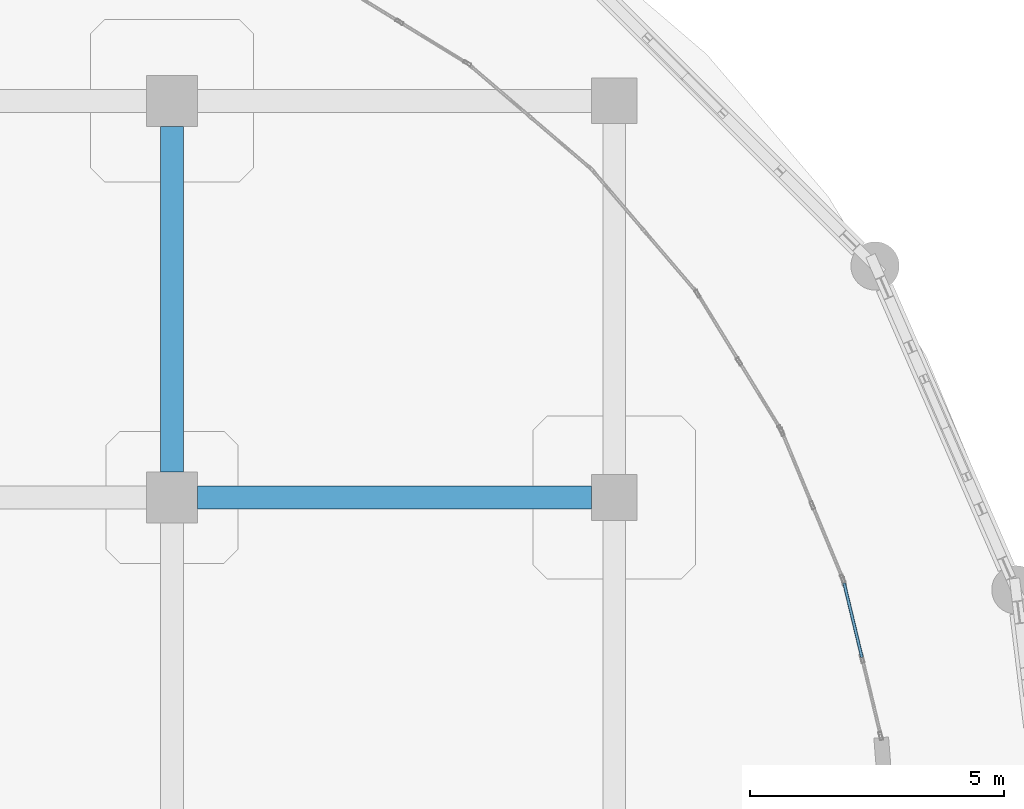
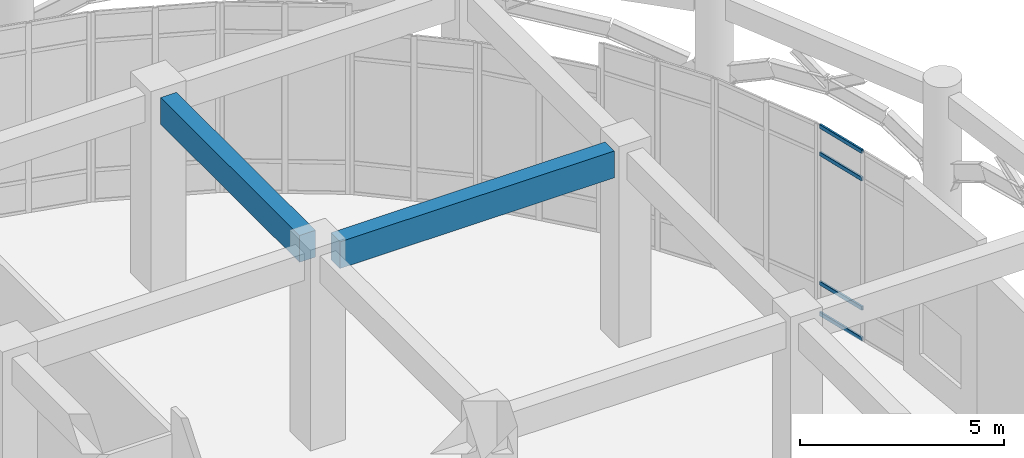
# One storey, part 45 of 82: 4 members, 2 beams, 1 element without a shape of its own.
"""IFC4 building model written with IfcOpenShell, lengths in metres."""

from ifc_helpers import new_model, si_unit, derived_unit, direction, frame, origin, origin_2d, place, context, subcontext, project, spatial, rectangle, hollow_rectangle, extrude, material, layer, layer_set, material_profile, profile_set, type_object, element, aggregate, save


model = new_model("IFC4")

# Units and contexts
model_context = context("Model", 3, precision=1e-05, world=origin(), true_north=direction((0.0, 1.0)))
body_context = subcontext(model_context, "Body", "Model", "MODEL_VIEW")
ifc_project = project(units=[si_unit("LENGTHUNIT", "METRE"), si_unit("AREAUNIT", "SQUARE_METRE"), si_unit("VOLUMEUNIT", "CUBIC_METRE"), si_unit("PLANEANGLEUNIT", "RADIAN"), si_unit("MASSUNIT", "GRAM", prefix="KILO"), derived_unit("THERMALTRANSMITTANCEUNIT", [(si_unit("MASSUNIT", "GRAM", prefix="KILO"), 1), (si_unit("TIMEUNIT", "SECOND"), -3), (si_unit("THERMODYNAMICTEMPERATUREUNIT", "KELVIN"), -1)])], contexts=[model_context])

# Site, building, storey
site_placement = place(None, origin())
site = spatial("IfcSite", under=ifc_project, at=site_placement, CompositionType="ELEMENT")
building_placement = place(site_placement, origin())
building = spatial("IfcBuilding", under=site, at=building_placement, Name="Qinzheling Arcade Emporium", CompositionType="ELEMENT")
storey_placement = place(building_placement, origin())
storey = spatial("IfcBuildingStorey", under=building, at=storey_placement, Name="L01", CompositionType="ELEMENT", Elevation=0.0)

# Curtain wall, members
ifc_material_1 = material(Name="Anodised aluminium and solar-control double glazing", Category="aluminium")
ifc_layer = layer(ifc_material_1, 0.159912109375, Name="Anodised aluminium and solar-control double glazing", Category="aluminium")
ifc_layer_set = layer_set([ifc_layer], Name="Anodised aluminium and solar-control double glazing")
curtain_wall_type = type_object("IfcCurtainWallType", Name="Curved Ribbon Sales Curtain Wall", PredefinedType="NOTDEFINED", material=ifc_layer_set)
curtain_wall_placement = place(storey_placement, origin())
curtain_wall = element("IfcCurtainWall", 1, at=curtain_wall_placement, inside=storey, type_object=curtain_wall_type, Name="Curtain Wall CW-L01-042", PredefinedType="NOTDEFINED")
ifc_material_2 = material(Name="Anodised aluminium 6063-T6", Category="aluminium")
ifc_material_profile_1 = material_profile(ifc_material_2, hollow_rectangle(XDim=0.06005859375, YDim=0.1201171875, WallThickness=0.00390625, InnerFilletRadius=0.00390625, OuterFilletRadius=0.008056640625, at=origin_2d()), Name="RHS 120x60x4", Category="aluminium")
ifc_profile_set_1 = profile_set([ifc_material_profile_1], Name="Anodised aluminium 6063-T6")
member_type = type_object("IfcMemberType", Name="Curtain Wall Transom RHS120x60", PredefinedType="USERDEFINED", material=ifc_profile_set_1)
member_1_placement = place(storey_placement, frame((143.719970703125, 97.314697265625, 0.030029296875), z_axis=(0.233655634766, -0.972319414772, 0.0), x_axis=(0.972319414772, 0.233655634766, 0.0)))
member_1 = element("IfcMember", 2, at=member_1_placement, type_object=member_type, Name="CW02 transom 1.1", ObjectType="TRANSOM", PredefinedType="USERDEFINED", context=body_context, shape_type="SweptSolid", body=[
    extrude(hollow_rectangle(XDim=0.06005859375, YDim=0.1201171875, WallThickness=0.00390625, InnerFilletRadius=0.00390625, OuterFilletRadius=0.008056640625, at=origin_2d()), origin(), (0.0, 0.0, 1.0), 1.50244140625),
])
member_2_placement = place(storey_placement, frame((143.719970703125, 97.314697265625, 0.949951171875), z_axis=(0.233655634766, -0.972319414772, 0.0), x_axis=(0.972319414772, 0.233655634766, 0.0)))
member_2 = element("IfcMember", 3, at=member_2_placement, type_object=member_type, Name="CW02 transom 1.2", ObjectType="TRANSOM", PredefinedType="USERDEFINED", context=body_context, shape_type="SweptSolid", body=[
    extrude(hollow_rectangle(XDim=0.06005859375, YDim=0.1201171875, WallThickness=0.00390625, InnerFilletRadius=0.00390625, OuterFilletRadius=0.008056640625, at=origin_2d()), origin(), (0.0, 0.0, 1.0), 1.50244140625),
])
member_3_placement = place(storey_placement, frame((143.719970703125, 97.314697265625, 4.81005859375), z_axis=(0.233655634766, -0.972319414772, 0.0), x_axis=(0.972319414772, 0.233655634766, 0.0)))
member_3 = element("IfcMember", 4, at=member_3_placement, type_object=member_type, Name="CW02 transom 1.3", ObjectType="TRANSOM", PredefinedType="USERDEFINED", context=body_context, shape_type="SweptSolid", body=[
    extrude(hollow_rectangle(XDim=0.06005859375, YDim=0.1201171875, WallThickness=0.00390625, InnerFilletRadius=0.00390625, OuterFilletRadius=0.008056640625, at=origin_2d()), origin(), (0.0, 0.0, 1.0), 1.50244140625),
])
member_4_placement = place(storey_placement, frame((143.719970703125, 97.314697265625, 5.6298828125), z_axis=(0.233655634766, -0.972319414772, 0.0), x_axis=(0.972319414772, 0.233655634766, 0.0)))
member_4 = element("IfcMember", 5, at=member_4_placement, type_object=member_type, Name="CW02 transom 1.4", ObjectType="TRANSOM", PredefinedType="USERDEFINED", context=body_context, shape_type="SweptSolid", body=[
    extrude(hollow_rectangle(XDim=0.06005859375, YDim=0.1201171875, WallThickness=0.00390625, InnerFilletRadius=0.00390625, OuterFilletRadius=0.008056640625, at=origin_2d()), origin(), (0.0, 0.0, 1.0), 1.50244140625),
])
aggregate(curtain_wall, [member_1, member_2, member_3, member_4])

# Beams
ifc_material_3 = material(Name="Concrete C40", Category="concrete")
ifc_material_profile_2 = material_profile(ifc_material_3, rectangle(XDim=0.449951171875, YDim=0.800048828125, at=origin_2d()), Name="RC 450x800", Category="concrete")
ifc_profile_set_2 = profile_set([ifc_material_profile_2], Name="Concrete C40")
beam_type = type_object("IfcBeamType", Name="RC Primary Frame Beam 450x800 C40", PredefinedType="BEAM", material=ifc_profile_set_2)
beam_1_placement = place(storey_placement, frame((131.0, 99.0, 5.3349609375), z_axis=(1.0, 0.0, 0.0), x_axis=(0.0, 1.0, 0.0)))
element("IfcBeam", 6, at=beam_1_placement, inside=storey, type_object=beam_type, Name="Beam BM-L01-X-M-16", PredefinedType="BEAM", context=body_context, shape_type="SweptSolid", body=[
    extrude(rectangle(XDim=0.449951171875, YDim=0.800048828125, at=origin_2d()), origin(), (0.0, 0.0, 1.0), 7.75),
])
beam_2_placement = place(storey_placement, frame((130.5, 99.5, 5.3349609375), z_axis=(0.0, 1.0, 0.0), x_axis=(-1.0, 0.0, 0.0)))
element("IfcBeam", 7, at=beam_2_placement, inside=storey, type_object=beam_type, Name="Beam BM-L01-Y-16-M", PredefinedType="BEAM", context=body_context, shape_type="SweptSolid", body=[
    extrude(rectangle(XDim=0.449951171875, YDim=0.800048828125, at=origin_2d()), origin(), (0.0, 0.0, 1.0), 6.800048828125),
])

save(model, "model.ifc")
